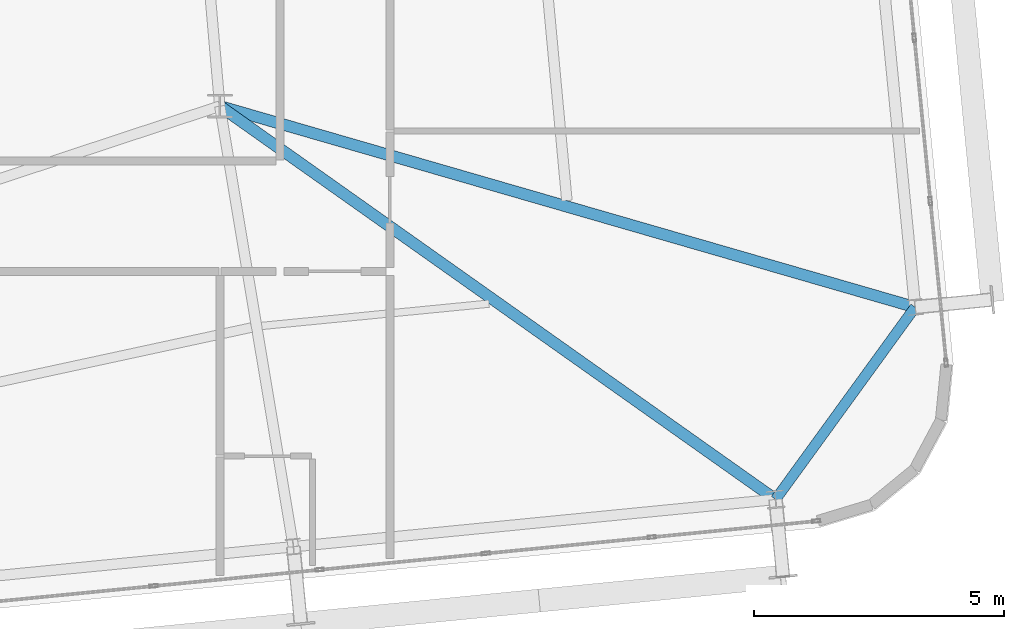
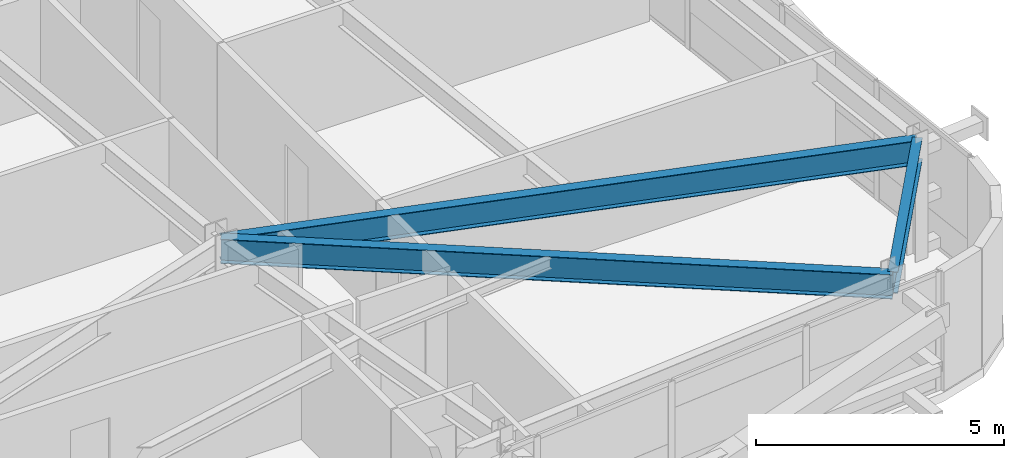
# One storey, part 21 of 52: 3 beams.
"""IFC4 building model written with IfcOpenShell, lengths in metres."""

from ifc_helpers import new_model, si_unit, direction, frame, origin, origin_2d, place, context, subcontext, project, spatial, i_section, extrude, source, transform, mapped, material, material_profile, profile_set, type_object, element, save


model = new_model("IFC4")

# Units and contexts
model_context = context("Model", 3, precision=1e-05, world=origin(), true_north=direction((0.0, 1.0)))
body_context = subcontext(model_context, "Body", "Model", "MODEL_VIEW")
ifc_project = project(units=[si_unit("LENGTHUNIT", "METRE"), si_unit("AREAUNIT", "SQUARE_METRE"), si_unit("VOLUMEUNIT", "CUBIC_METRE"), si_unit("PLANEANGLEUNIT", "RADIAN"), si_unit("MASSUNIT", "GRAM", prefix="KILO")], contexts=[model_context])

# Site, building, storey
site_placement = place(None, origin())
site = spatial("IfcSite", under=ifc_project, at=site_placement, CompositionType="ELEMENT")
building_placement = place(site_placement, origin())
building = spatial("IfcBuilding", under=site, at=building_placement, Name="Taldren Reach Tower", CompositionType="ELEMENT")
storey_placement = place(building_placement, frame((0.0, 0.0, 74.550048828125)))
storey = spatial("IfcBuildingStorey", under=building, at=storey_placement, Name="L22", CompositionType="ELEMENT", Elevation=74.550048828125)

# Beams
ifc_material = material(Name="Steel Gr 350 (350PLUS)", Category="steel")
ifc_material_profile_1 = material_profile(ifc_material, i_section(OverallWidth=0.208984375, OverallDepth=0.528076171875, WebThickness=0.009521484375, FlangeThickness=0.01318359375, at=origin_2d()), Name="530UB82.0")
ifc_profile_set_1 = profile_set([ifc_material_profile_1], Name="Steel Gr 350 (350PLUS)")
beam_type_1 = type_object("IfcBeamType", Name="SP-UB530B", PredefinedType="SPANDREL", material=ifc_profile_set_1)
shared_shape_1 = source(origin(), body_context, "Body", "SweptSolid", [
    extrude(i_section(OverallWidth=0.208984375, OverallDepth=0.528076171875, WebThickness=0.009521484375, FlangeThickness=0.01318359375, at=origin_2d()), origin(), (0.0, 0.0, 1.0), 4.74609375),
])
beam_1_placement = place(storey_placement, frame((63.103271484375, 4.64306640625, 2.666015625), z_axis=(0.58750777154, 0.809218523255, 0.0), x_axis=(-0.809218523255, 0.58750777154, 0.0)))
element("IfcBeam", 1, at=beam_1_placement, inside=storey, type_object=beam_type_1, Name="Perimeter spandrel B2 S6-E1 L22", PredefinedType="SPANDREL", context=body_context, shape_type="MappedRepresentation", body=[
    mapped(shared_shape_1, transform((0.0, 0.0, 0.0), scale=1.0)),
])
ifc_material_profile_2 = material_profile(ifc_material, i_section(OverallWidth=0.22802734375, OverallDepth=0.60205078125, WebThickness=0.010498046875, FlangeThickness=0.014892578125, at=origin_2d()), Name="610UB101")
ifc_profile_set_2 = profile_set([ifc_material_profile_2], Name="Steel Gr 350 (350PLUS)")
beam_type_2 = type_object("IfcBeamType", Name="BM-UB610B", PredefinedType="BEAM", material=ifc_profile_set_2)
shared_shape_2 = source(origin(), body_context, "Body", "SweptSolid", [
    extrude(i_section(OverallWidth=0.22802734375, OverallDepth=0.60205078125, WebThickness=0.010498046875, FlangeThickness=0.014892578125, at=origin_2d()), origin(), (0.0, 0.0, 1.0), 13.60205078125),
])
beam_2_placement = place(storey_placement, frame((52.0, 12.5, 2.62890625), z_axis=(0.816297773281, -0.577631323022, 0.0), x_axis=(0.577631323022, 0.816297773281, 0.0)))
element("IfcBeam", 2, at=beam_2_placement, inside=storey, type_object=beam_type_2, Name="Primary floor girder B2-S6 L22", PredefinedType="BEAM", context=body_context, shape_type="MappedRepresentation", body=[
    mapped(shared_shape_2, transform((0.0, 0.0, 0.0), scale=1.0)),
])
shared_shape_3 = source(origin(), body_context, "Body", "SweptSolid", [
    extrude(i_section(OverallWidth=0.22802734375, OverallDepth=0.60205078125, WebThickness=0.010498046875, FlangeThickness=0.014892578125, at=origin_2d()), origin(), (0.0, 0.0, 1.0), 14.46044921875),
])
beam_3_placement = place(storey_placement, frame((52.0, 12.5, 2.62890625), z_axis=(0.960654638583, -0.277745684698, 0.0), x_axis=(0.277745684698, 0.960654638583, 0.0)))
element("IfcBeam", 3, at=beam_3_placement, inside=storey, type_object=beam_type_2, Name="Primary floor girder B2-E1 L22", PredefinedType="BEAM", context=body_context, shape_type="MappedRepresentation", body=[
    mapped(shared_shape_3, transform((0.0, 0.0, 0.0), scale=1.0)),
])

save(model, "model.ifc")
